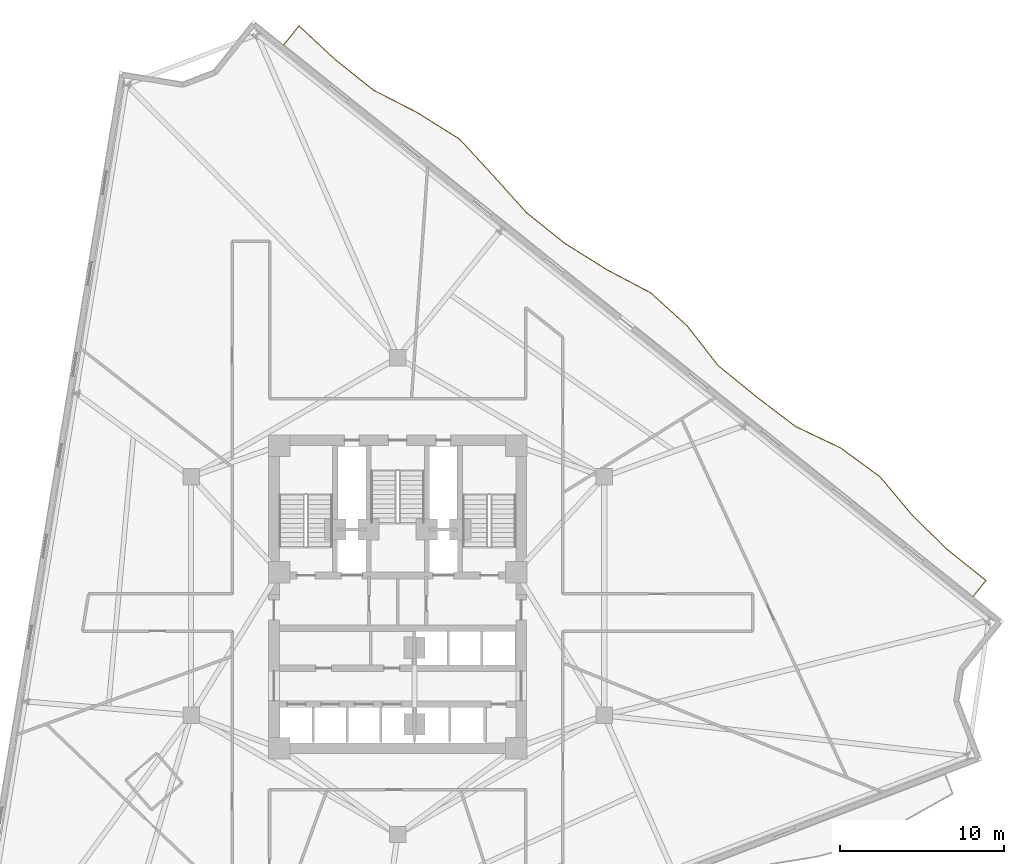
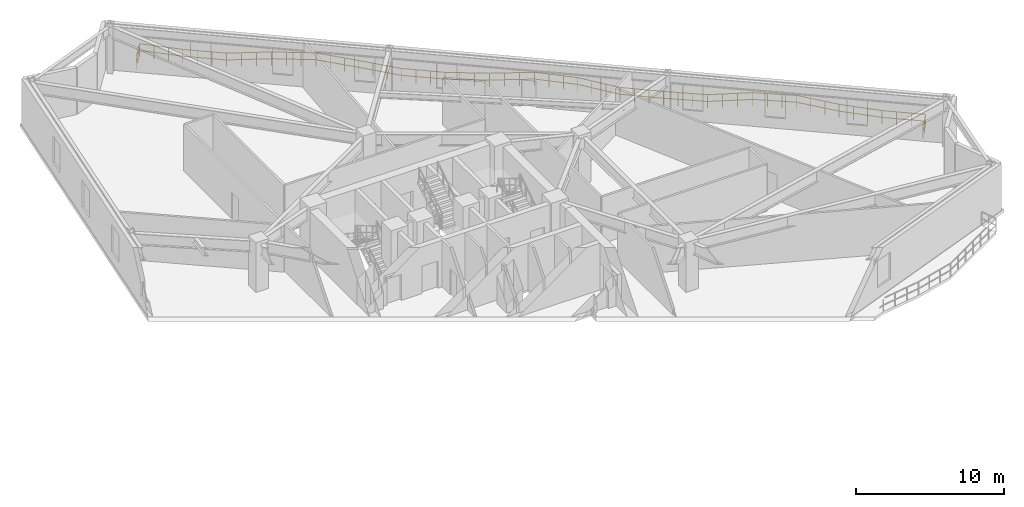
# One storey, part 10 of 10: 1 railing.
"""IFC4 building model written with IfcOpenShell, lengths in metres."""

from ifc_helpers import new_model, si_unit, direction, frame, origin, origin_2d, place, context, subcontext, project, spatial, rectangle, extrude, material, type_object, element, save


model = new_model("IFC4")

# Units and contexts
model_context = context("Model", 3, precision=1e-05, world=origin(), true_north=direction((0.0, 1.0)))
body_context = subcontext(model_context, "Body", "Model", "MODEL_VIEW")
ifc_project = project(units=[si_unit("LENGTHUNIT", "METRE"), si_unit("AREAUNIT", "SQUARE_METRE"), si_unit("VOLUMEUNIT", "CUBIC_METRE"), si_unit("PLANEANGLEUNIT", "RADIAN"), si_unit("MASSUNIT", "GRAM", prefix="KILO")], contexts=[model_context])

# Site, building, storey
site_placement = place(None, origin())
site = spatial("IfcSite", under=ifc_project, at=site_placement, CompositionType="ELEMENT")
building_placement = place(site_placement, origin())
building = spatial("IfcBuilding", under=site, at=building_placement, Name="Apsidion Concourse Tower", CompositionType="ELEMENT")
storey_placement = place(building_placement, frame((0.0, 0.0, 136.300048828125)))
storey = spatial("IfcBuildingStorey", under=building, at=storey_placement, Name="L31", CompositionType="ELEMENT", Elevation=136.300048828125)

# Railing
ifc_material = material(Name="Brushed stainless steel 316", Category="steel")
railing_type = type_object("IfcRailingType", Name="RL-BAL-1120", PredefinedType="BALUSTRADE", material=ifc_material)
railing_placement = place(storey_placement, frame((-6.919189453125, 33.529541015625, 0.0)))
element("IfcRailing", 1, at=railing_placement, inside=storey, type_object=railing_type, Name="L31 Face 3 Rippling Balcony Balustrade", PredefinedType="BALUSTRADE", context=body_context, shape_type="SweptSolid", body=[
    extrude(rectangle(XDim=0.048095703125, YDim=0.048095703125, at=origin_2d()), frame((0.0, 0.0, 1.09619140625), z_axis=(0.62483663461, 0.780755518744, 0.0), x_axis=(-0.780755518744, 0.62483663461, 0.0)), (0.0, 0.0, 1.0), 1.471923828125),
    extrude(rectangle(XDim=0.048095703125, YDim=0.048095703125, at=origin_2d()), frame((0.0, 0.0, 0.5361328125), z_axis=(0.62483663461, 0.780755518744, 0.0), x_axis=(-0.780755518744, 0.62483663461, 0.0)), (0.0, 0.0, 1.0), 1.471923828125),
    extrude(rectangle(XDim=0.048095703125, YDim=0.048095703125, at=origin_2d()), frame((0.919677734375, 1.149169921875, 1.09619140625), z_axis=(0.732191470972, -0.681098854672, 0.0), x_axis=(0.681098854672, 0.732191470972, 0.0)), (0.0, 0.0, 1.0), 2.9912109375),
    extrude(rectangle(XDim=0.048095703125, YDim=0.048095703125, at=origin_2d()), frame((0.919677734375, 1.149169921875, 0.5361328125), z_axis=(0.732191470972, -0.681098854672, 0.0), x_axis=(0.681098854672, 0.732191470972, 0.0)), (0.0, 0.0, 1.0), 2.9912109375),
    extrude(rectangle(XDim=0.048095703125, YDim=0.048095703125, at=origin_2d()), frame((3.10986328125, -0.88818359375, 1.09619140625), z_axis=(0.780645180678, -0.624974480987, 0.0), x_axis=(0.624974480987, 0.780645180678, 0.0)), (0.0, 0.0, 1.0), 2.98291015625),
    extrude(rectangle(XDim=0.048095703125, YDim=0.048095703125, at=origin_2d()), frame((3.10986328125, -0.88818359375, 0.5361328125), z_axis=(0.780645180678, -0.624974480987, 0.0), x_axis=(0.624974480987, 0.780645180678, 0.0)), (0.0, 0.0, 1.0), 2.98291015625),
    extrude(rectangle(XDim=0.048095703125, YDim=0.048095703125, at=origin_2d()), frame((5.4384765625, -2.75244140625, 1.09619140625), z_axis=(0.889694694388, -0.456555966753, 0.0), x_axis=(0.456555966753, 0.889694694388, 0.0)), (0.0, 0.0, 1.0), 3.044189453125),
    extrude(rectangle(XDim=0.048095703125, YDim=0.048095703125, at=origin_2d()), frame((5.4384765625, -2.75244140625, 0.5361328125), z_axis=(0.889694694388, -0.456555966753, 0.0), x_axis=(0.456555966753, 0.889694694388, 0.0)), (0.0, 0.0, 1.0), 3.044189453125),
    extrude(rectangle(XDim=0.048095703125, YDim=0.048095703125, at=origin_2d()), frame((8.14697265625, -4.142333984375, 1.09619140625), z_axis=(0.846349603429, -0.532627776947, 0.0), x_axis=(0.532627776947, 0.846349603429, 0.0)), (0.0, 0.0, 1.0), 3.00244140625),
    extrude(rectangle(XDim=0.048095703125, YDim=0.048095703125, at=origin_2d()), frame((8.14697265625, -4.142333984375, 0.5361328125), z_axis=(0.846349603429, -0.532627776947, 0.0), x_axis=(0.532627776947, 0.846349603429, 0.0)), (0.0, 0.0, 1.0), 3.00244140625),
    extrude(rectangle(XDim=0.048095703125, YDim=0.048095703125, at=origin_2d()), frame((10.68798828125, -5.741455078125, 1.09619140625), z_axis=(0.678300268702, -0.734784829374, 0.0), x_axis=(0.734784829374, 0.678300268702, 0.0)), (0.0, 0.0, 1.0), 3.016845703125),
    extrude(rectangle(XDim=0.048095703125, YDim=0.048095703125, at=origin_2d()), frame((10.68798828125, -5.741455078125, 0.5361328125), z_axis=(0.678300268702, -0.734784829374, 0.0), x_axis=(0.734784829374, 0.678300268702, 0.0)), (0.0, 0.0, 1.0), 3.016845703125),
    extrude(rectangle(XDim=0.048095703125, YDim=0.048095703125, at=origin_2d()), frame((12.734375, -7.958251953125, 1.09619140625), z_axis=(0.667714779982, -0.744417203317, 0.0), x_axis=(0.744417203317, 0.667714779982, 0.0)), (0.0, 0.0, 1.0), 3.02392578125),
    extrude(rectangle(XDim=0.048095703125, YDim=0.048095703125, at=origin_2d()), frame((12.734375, -7.958251953125, 0.5361328125), z_axis=(0.667714779982, -0.744417203317, 0.0), x_axis=(0.744417203317, 0.667714779982, 0.0)), (0.0, 0.0, 1.0), 3.02392578125),
    extrude(rectangle(XDim=0.048095703125, YDim=0.048095703125, at=origin_2d()), frame((14.75341796875, -10.209228515625, 1.09619140625), z_axis=(0.780685112324, -0.624924599769, 0.0), x_axis=(0.624924599769, 0.780685112324, 0.0)), (0.0, 0.0, 1.0), 2.982666015625),
    extrude(rectangle(XDim=0.048095703125, YDim=0.048095703125, at=origin_2d()), frame((14.75341796875, -10.209228515625, 0.5361328125), z_axis=(0.780685112324, -0.624924599769, 0.0), x_axis=(0.624924599769, 0.780685112324, 0.0)), (0.0, 0.0, 1.0), 2.982666015625),
    extrude(rectangle(XDim=0.048095703125, YDim=0.048095703125, at=origin_2d()), frame((17.08203125, -12.0732421875, 1.09619140625), z_axis=(0.847019393317, -0.531561988242, 0.0), x_axis=(0.531561988242, 0.847019393317, 0.0)), (0.0, 0.0, 1.0), 3.0029296875),
    extrude(rectangle(XDim=0.048095703125, YDim=0.048095703125, at=origin_2d()), frame((17.08203125, -12.0732421875, 0.5361328125), z_axis=(0.847019393317, -0.531561988242, 0.0), x_axis=(0.531561988242, 0.847019393317, 0.0)), (0.0, 0.0, 1.0), 3.0029296875),
    extrude(rectangle(XDim=0.048095703125, YDim=0.048095703125, at=origin_2d()), frame((19.62548828125, -13.66943359375, 1.09619140625), z_axis=(0.884219694866, -0.467071227127, 0.0), x_axis=(0.467071227127, 0.884219694866, 0.0)), (0.0, 0.0, 1.0), 3.036865234375),
    extrude(rectangle(XDim=0.048095703125, YDim=0.048095703125, at=origin_2d()), frame((19.62548828125, -13.66943359375, 0.5361328125), z_axis=(0.884219694866, -0.467071227127, 0.0), x_axis=(0.467071227127, 0.884219694866, 0.0)), (0.0, 0.0, 1.0), 3.036865234375),
    extrude(rectangle(XDim=0.048095703125, YDim=0.048095703125, at=origin_2d()), frame((22.310791015625, -15.087890625, 1.09619140625), z_axis=(0.741634478369, -0.670804219199, 0.0), x_axis=(0.670804219199, 0.741634478369, 0.0)), (0.0, 0.0, 1.0), 2.988525390625),
    extrude(rectangle(XDim=0.048095703125, YDim=0.048095703125, at=origin_2d()), frame((22.310791015625, -15.087890625, 0.5361328125), z_axis=(0.741634478369, -0.670804219199, 0.0), x_axis=(0.670804219199, 0.741634478369, 0.0)), (0.0, 0.0, 1.0), 2.988525390625),
    extrude(rectangle(XDim=0.048095703125, YDim=0.048095703125, at=origin_2d()), frame((24.527099609375, -17.092529296875, 1.09619140625), z_axis=(0.614447555806, -0.788957667536, 0.0), x_axis=(0.788957667536, 0.614447555806, 0.0)), (0.0, 0.0, 1.0), 3.066650390625),
    extrude(rectangle(XDim=0.048095703125, YDim=0.048095703125, at=origin_2d()), frame((24.527099609375, -17.092529296875, 0.5361328125), z_axis=(0.614447555806, -0.788957667536, 0.0), x_axis=(0.788957667536, 0.614447555806, 0.0)), (0.0, 0.0, 1.0), 3.066650390625),
    extrude(rectangle(XDim=0.048095703125, YDim=0.048095703125, at=origin_2d()), frame((26.411376953125, -19.511962890625, 1.09619140625), z_axis=(0.775780939153, -0.631002325231, 0.0), x_axis=(0.631002325231, 0.775780939153, 0.0)), (0.0, 0.0, 1.0), 2.983154296875),
    extrude(rectangle(XDim=0.048095703125, YDim=0.048095703125, at=origin_2d()), frame((26.411376953125, -19.511962890625, 0.5361328125), z_axis=(0.775780939153, -0.631002325231, 0.0), x_axis=(0.631002325231, 0.775780939153, 0.0)), (0.0, 0.0, 1.0), 2.983154296875),
    extrude(rectangle(XDim=0.048095703125, YDim=0.048095703125, at=origin_2d()), frame((28.7255859375, -21.394287109375, 1.09619140625), z_axis=(0.795411058131, -0.60607033305, 0.0), x_axis=(0.60607033305, 0.795411058131, 0.0)), (0.0, 0.0, 1.0), 2.983642578125),
    extrude(rectangle(XDim=0.048095703125, YDim=0.048095703125, at=origin_2d()), frame((28.7255859375, -21.394287109375, 0.5361328125), z_axis=(0.795411058131, -0.60607033305, 0.0), x_axis=(0.60607033305, 0.795411058131, 0.0)), (0.0, 0.0, 1.0), 2.983642578125),
    extrude(rectangle(XDim=0.048095703125, YDim=0.048095703125, at=origin_2d()), frame((31.098876953125, -23.20263671875, 1.09619140625), z_axis=(0.902820750072, -0.430017084824, 0.0), x_axis=(0.430017084824, 0.902820750072, 0.0)), (0.0, 0.0, 1.0), 3.064208984375),
    extrude(rectangle(XDim=0.048095703125, YDim=0.048095703125, at=origin_2d()), frame((31.098876953125, -23.20263671875, 0.5361328125), z_axis=(0.902820750072, -0.430017084824, 0.0), x_axis=(0.430017084824, 0.902820750072, 0.0)), (0.0, 0.0, 1.0), 3.064208984375),
    extrude(rectangle(XDim=0.048095703125, YDim=0.048095703125, at=origin_2d()), frame((33.865234375, -24.520263671875, 1.09619140625), z_axis=(0.805897738586, -0.592054756709, 0.0), x_axis=(0.592054756709, 0.805897738586, 0.0)), (0.0, 0.0, 1.0), 2.985595703125),
    extrude(rectangle(XDim=0.048095703125, YDim=0.048095703125, at=origin_2d()), frame((33.865234375, -24.520263671875, 0.5361328125), z_axis=(0.805897738586, -0.592054756709, 0.0), x_axis=(0.592054756709, 0.805897738586, 0.0)), (0.0, 0.0, 1.0), 2.985595703125),
    extrude(rectangle(XDim=0.048095703125, YDim=0.048095703125, at=origin_2d()), frame((36.271240234375, -26.287841796875, 1.09619140625), z_axis=(0.641059858003, -0.767490884935, 0.0), x_axis=(0.767490884935, 0.641059858003, 0.0)), (0.0, 0.0, 1.0), 3.043212890625),
    extrude(rectangle(XDim=0.048095703125, YDim=0.048095703125, at=origin_2d()), frame((36.271240234375, -26.287841796875, 0.5361328125), z_axis=(0.641059858003, -0.767490884935, 0.0), x_axis=(0.767490884935, 0.641059858003, 0.0)), (0.0, 0.0, 1.0), 3.043212890625),
    extrude(rectangle(XDim=0.048095703125, YDim=0.048095703125, at=origin_2d()), frame((38.22216796875, -28.62353515625, 1.09619140625), z_axis=(0.716210797521, -0.697884011505, 0.0), x_axis=(0.697884011505, 0.716210797521, 0.0)), (0.0, 0.0, 1.0), 2.997314453125),
    extrude(rectangle(XDim=0.048095703125, YDim=0.048095703125, at=origin_2d()), frame((38.22216796875, -28.62353515625, 0.5361328125), z_axis=(0.716210797521, -0.697884011505, 0.0), x_axis=(0.697884011505, 0.716210797521, 0.0)), (0.0, 0.0, 1.0), 2.997314453125),
    extrude(rectangle(XDim=0.048095703125, YDim=0.048095703125, at=origin_2d()), frame((40.368896484375, -30.71533203125, 1.09619140625), z_axis=(0.780717074195, -0.624884669408, 0.0), x_axis=(0.624884669408, 0.780717074195, 0.0)), (0.0, 0.0, 1.0), 2.98291015625),
    extrude(rectangle(XDim=0.048095703125, YDim=0.048095703125, at=origin_2d()), frame((40.368896484375, -30.71533203125, 0.5361328125), z_axis=(0.780717074195, -0.624884669408, 0.0), x_axis=(0.624884669408, 0.780717074195, 0.0)), (0.0, 0.0, 1.0), 2.98291015625),
    extrude(rectangle(XDim=0.048095703125, YDim=0.048095703125, at=origin_2d()), frame((42.69775390625, -32.579345703125, 1.09619140625), z_axis=(-0.624980820108, -0.780640105616, 0.0), x_axis=(0.780640105616, -0.624980820108, 0.0)), (0.0, 0.0, 1.0), 1.25),
    extrude(rectangle(XDim=0.048095703125, YDim=0.048095703125, at=origin_2d()), frame((42.69775390625, -32.579345703125, 0.5361328125), z_axis=(-0.624980820108, -0.780640105616, 0.0), x_axis=(0.780640105616, -0.624980820108, 0.0)), (0.0, 0.0, 1.0), 1.25),
    extrude(rectangle(XDim=0.0419921875, YDim=0.0419921875, at=origin_2d()), origin(), (0.0, 0.0, 1.0), 1.072021484375),
    extrude(rectangle(XDim=0.0419921875, YDim=0.0419921875, at=origin_2d()), frame((0.4599609375, 0.57470703125, 0.0)), (0.0, 0.0, 1.0), 1.072021484375),
    extrude(rectangle(XDim=0.0419921875, YDim=0.0419921875, at=origin_2d()), frame((0.919677734375, 1.149169921875, 0.0)), (0.0, 0.0, 1.0), 1.072021484375),
    extrude(rectangle(XDim=0.0419921875, YDim=0.0419921875, at=origin_2d()), frame((1.649658203125, 0.469970703125, 0.0)), (0.0, 0.0, 1.0), 1.072021484375),
    extrude(rectangle(XDim=0.0419921875, YDim=0.0419921875, at=origin_2d()), frame((2.3798828125, -0.208984375, 0.0)), (0.0, 0.0, 1.0), 1.072021484375),
    extrude(rectangle(XDim=0.0419921875, YDim=0.0419921875, at=origin_2d()), frame((3.10986328125, -0.88818359375, 0.0)), (0.0, 0.0, 1.0), 1.072021484375),
    extrude(rectangle(XDim=0.0419921875, YDim=0.0419921875, at=origin_2d()), frame((3.885986328125, -1.509521484375, 0.0)), (0.0, 0.0, 1.0), 1.072021484375),
    extrude(rectangle(XDim=0.0419921875, YDim=0.0419921875, at=origin_2d()), frame((4.662353515625, -2.131103515625, 0.0)), (0.0, 0.0, 1.0), 1.072021484375),
    extrude(rectangle(XDim=0.0419921875, YDim=0.0419921875, at=origin_2d()), frame((5.4384765625, -2.75244140625, 0.0)), (0.0, 0.0, 1.0), 1.072021484375),
    extrude(rectangle(XDim=0.0419921875, YDim=0.0419921875, at=origin_2d()), frame((6.34130859375, -3.2158203125, 0.0)), (0.0, 0.0, 1.0), 1.072021484375),
    extrude(rectangle(XDim=0.0419921875, YDim=0.0419921875, at=origin_2d()), frame((7.244140625, -3.678955078125, 0.0)), (0.0, 0.0, 1.0), 1.072021484375),
    extrude(rectangle(XDim=0.0419921875, YDim=0.0419921875, at=origin_2d()), frame((8.14697265625, -4.142333984375, 0.0)), (0.0, 0.0, 1.0), 1.072021484375),
    extrude(rectangle(XDim=0.0419921875, YDim=0.0419921875, at=origin_2d()), frame((8.993896484375, -4.67529296875, 0.0)), (0.0, 0.0, 1.0), 1.072021484375),
    extrude(rectangle(XDim=0.0419921875, YDim=0.0419921875, at=origin_2d()), frame((9.841064453125, -5.20849609375, 0.0)), (0.0, 0.0, 1.0), 1.072021484375),
    extrude(rectangle(XDim=0.0419921875, YDim=0.0419921875, at=origin_2d()), frame((10.68798828125, -5.741455078125, 0.0)), (0.0, 0.0, 1.0), 1.072021484375),
    extrude(rectangle(XDim=0.0419921875, YDim=0.0419921875, at=origin_2d()), frame((11.3701171875, -6.48046875, 0.0)), (0.0, 0.0, 1.0), 1.072021484375),
    extrude(rectangle(XDim=0.0419921875, YDim=0.0419921875, at=origin_2d()), frame((12.05224609375, -7.21923828125, 0.0)), (0.0, 0.0, 1.0), 1.072021484375),
    extrude(rectangle(XDim=0.0419921875, YDim=0.0419921875, at=origin_2d()), frame((12.734375, -7.958251953125, 0.0)), (0.0, 0.0, 1.0), 1.072021484375),
    extrude(rectangle(XDim=0.0419921875, YDim=0.0419921875, at=origin_2d()), frame((13.407470703125, -8.70849609375, 0.0)), (0.0, 0.0, 1.0), 1.072021484375),
    extrude(rectangle(XDim=0.0419921875, YDim=0.0419921875, at=origin_2d()), frame((14.080322265625, -9.458984375, 0.0)), (0.0, 0.0, 1.0), 1.072021484375),
    extrude(rectangle(XDim=0.0419921875, YDim=0.0419921875, at=origin_2d()), frame((14.75341796875, -10.209228515625, 0.0)), (0.0, 0.0, 1.0), 1.072021484375),
    extrude(rectangle(XDim=0.0419921875, YDim=0.0419921875, at=origin_2d()), frame((15.529541015625, -10.83056640625, 0.0)), (0.0, 0.0, 1.0), 1.072021484375),
    extrude(rectangle(XDim=0.0419921875, YDim=0.0419921875, at=origin_2d()), frame((16.305908203125, -11.451904296875, 0.0)), (0.0, 0.0, 1.0), 1.072021484375),
    extrude(rectangle(XDim=0.0419921875, YDim=0.0419921875, at=origin_2d()), frame((17.08203125, -12.0732421875, 0.0)), (0.0, 0.0, 1.0), 1.072021484375),
    extrude(rectangle(XDim=0.0419921875, YDim=0.0419921875, at=origin_2d()), frame((17.929931640625, -12.605224609375, 0.0)), (0.0, 0.0, 1.0), 1.072021484375),
    extrude(rectangle(XDim=0.0419921875, YDim=0.0419921875, at=origin_2d()), frame((18.777587890625, -13.137451171875, 0.0)), (0.0, 0.0, 1.0), 1.072021484375),
    extrude(rectangle(XDim=0.0419921875, YDim=0.0419921875, at=origin_2d()), frame((19.62548828125, -13.66943359375, 0.0)), (0.0, 0.0, 1.0), 1.072021484375),
    extrude(rectangle(XDim=0.0419921875, YDim=0.0419921875, at=origin_2d()), frame((20.5205078125, -14.142333984375, 0.0)), (0.0, 0.0, 1.0), 1.072021484375),
    extrude(rectangle(XDim=0.0419921875, YDim=0.0419921875, at=origin_2d()), frame((21.415771484375, -14.614990234375, 0.0)), (0.0, 0.0, 1.0), 1.072021484375),
    extrude(rectangle(XDim=0.0419921875, YDim=0.0419921875, at=origin_2d()), frame((22.310791015625, -15.087890625, 0.0)), (0.0, 0.0, 1.0), 1.072021484375),
    extrude(rectangle(XDim=0.0419921875, YDim=0.0419921875, at=origin_2d()), frame((23.049560546875, -15.756103515625, 0.0)), (0.0, 0.0, 1.0), 1.072021484375),
    extrude(rectangle(XDim=0.0419921875, YDim=0.0419921875, at=origin_2d()), frame((23.788330078125, -16.42431640625, 0.0)), (0.0, 0.0, 1.0), 1.072021484375),
    extrude(rectangle(XDim=0.0419921875, YDim=0.0419921875, at=origin_2d()), frame((24.527099609375, -17.092529296875, 0.0)), (0.0, 0.0, 1.0), 1.072021484375),
    extrude(rectangle(XDim=0.0419921875, YDim=0.0419921875, at=origin_2d()), frame((25.1552734375, -17.89892578125, 0.0)), (0.0, 0.0, 1.0), 1.072021484375),
    extrude(rectangle(XDim=0.0419921875, YDim=0.0419921875, at=origin_2d()), frame((25.783203125, -18.70556640625, 0.0)), (0.0, 0.0, 1.0), 1.072021484375),
    extrude(rectangle(XDim=0.0419921875, YDim=0.0419921875, at=origin_2d()), frame((26.411376953125, -19.511962890625, 0.0)), (0.0, 0.0, 1.0), 1.072021484375),
    extrude(rectangle(XDim=0.0419921875, YDim=0.0419921875, at=origin_2d()), frame((27.182861328125, -20.139404296875, 0.0)), (0.0, 0.0, 1.0), 1.072021484375),
    extrude(rectangle(XDim=0.0419921875, YDim=0.0419921875, at=origin_2d()), frame((27.9541015625, -20.766845703125, 0.0)), (0.0, 0.0, 1.0), 1.072021484375),
    extrude(rectangle(XDim=0.0419921875, YDim=0.0419921875, at=origin_2d()), frame((28.7255859375, -21.394287109375, 0.0)), (0.0, 0.0, 1.0), 1.072021484375),
    extrude(rectangle(XDim=0.0419921875, YDim=0.0419921875, at=origin_2d()), frame((29.5166015625, -21.9970703125, 0.0)), (0.0, 0.0, 1.0), 1.072021484375),
    extrude(rectangle(XDim=0.0419921875, YDim=0.0419921875, at=origin_2d()), frame((30.307861328125, -22.599853515625, 0.0)), (0.0, 0.0, 1.0), 1.072021484375),
    extrude(rectangle(XDim=0.0419921875, YDim=0.0419921875, at=origin_2d()), frame((31.098876953125, -23.20263671875, 0.0)), (0.0, 0.0, 1.0), 1.072021484375),
    extrude(rectangle(XDim=0.0419921875, YDim=0.0419921875, at=origin_2d()), frame((32.02099609375, -23.641845703125, 0.0)), (0.0, 0.0, 1.0), 1.072021484375),
    extrude(rectangle(XDim=0.0419921875, YDim=0.0419921875, at=origin_2d()), frame((32.943115234375, -24.0810546875, 0.0)), (0.0, 0.0, 1.0), 1.072021484375),
    extrude(rectangle(XDim=0.0419921875, YDim=0.0419921875, at=origin_2d()), frame((33.865234375, -24.520263671875, 0.0)), (0.0, 0.0, 1.0), 1.072021484375),
    extrude(rectangle(XDim=0.0419921875, YDim=0.0419921875, at=origin_2d()), frame((34.667236328125, -25.109375, 0.0)), (0.0, 0.0, 1.0), 1.072021484375),
    extrude(rectangle(XDim=0.0419921875, YDim=0.0419921875, at=origin_2d()), frame((35.46923828125, -25.69873046875, 0.0)), (0.0, 0.0, 1.0), 1.072021484375),
    extrude(rectangle(XDim=0.0419921875, YDim=0.0419921875, at=origin_2d()), frame((36.271240234375, -26.287841796875, 0.0)), (0.0, 0.0, 1.0), 1.072021484375),
    extrude(rectangle(XDim=0.0419921875, YDim=0.0419921875, at=origin_2d()), frame((36.921630859375, -27.06640625, 0.0)), (0.0, 0.0, 1.0), 1.072021484375),
    extrude(rectangle(XDim=0.0419921875, YDim=0.0419921875, at=origin_2d()), frame((37.57177734375, -27.844970703125, 0.0)), (0.0, 0.0, 1.0), 1.072021484375),
    extrude(rectangle(XDim=0.0419921875, YDim=0.0419921875, at=origin_2d()), frame((38.22216796875, -28.62353515625, 0.0)), (0.0, 0.0, 1.0), 1.072021484375),
    extrude(rectangle(XDim=0.0419921875, YDim=0.0419921875, at=origin_2d()), frame((38.937744140625, -29.32080078125, 0.0)), (0.0, 0.0, 1.0), 1.072021484375),
    extrude(rectangle(XDim=0.0419921875, YDim=0.0419921875, at=origin_2d()), frame((39.6533203125, -30.01806640625, 0.0)), (0.0, 0.0, 1.0), 1.072021484375),
    extrude(rectangle(XDim=0.0419921875, YDim=0.0419921875, at=origin_2d()), frame((40.368896484375, -30.71533203125, 0.0)), (0.0, 0.0, 1.0), 1.072021484375),
    extrude(rectangle(XDim=0.0419921875, YDim=0.0419921875, at=origin_2d()), frame((41.145263671875, -31.336669921875, 0.0)), (0.0, 0.0, 1.0), 1.072021484375),
    extrude(rectangle(XDim=0.0419921875, YDim=0.0419921875, at=origin_2d()), frame((41.92138671875, -31.9580078125, 0.0)), (0.0, 0.0, 1.0), 1.072021484375),
    extrude(rectangle(XDim=0.0419921875, YDim=0.0419921875, at=origin_2d()), frame((42.69775390625, -32.579345703125, 0.0)), (0.0, 0.0, 1.0), 1.072021484375),
    extrude(rectangle(XDim=0.0419921875, YDim=0.0419921875, at=origin_2d()), frame((42.30712890625, -33.0673828125, 0.0)), (0.0, 0.0, 1.0), 1.072021484375),
    extrude(rectangle(XDim=0.0419921875, YDim=0.0419921875, at=origin_2d()), frame((41.91650390625, -33.55517578125, 0.0)), (0.0, 0.0, 1.0), 1.072021484375),
])

save(model, "model.ifc")
